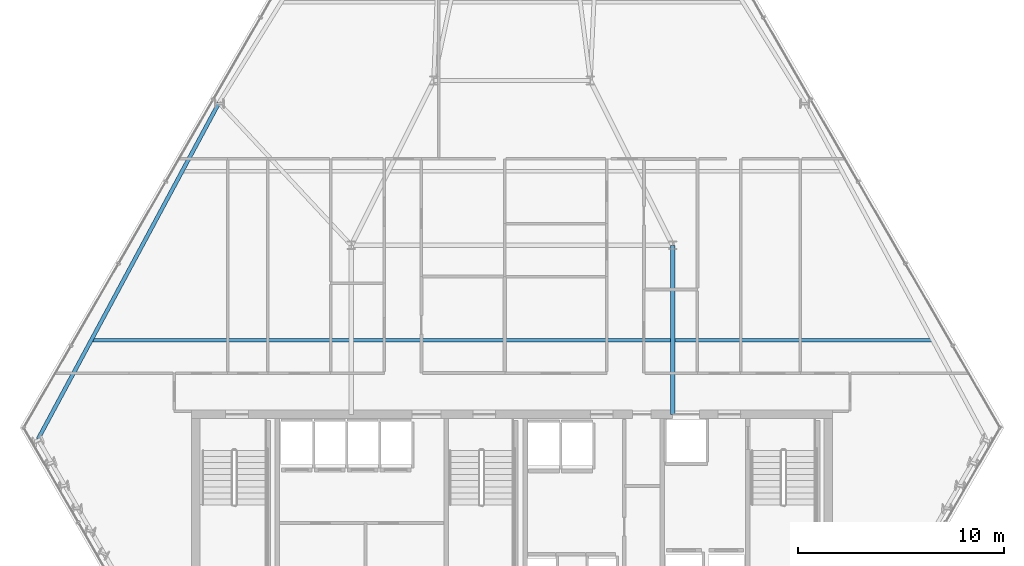
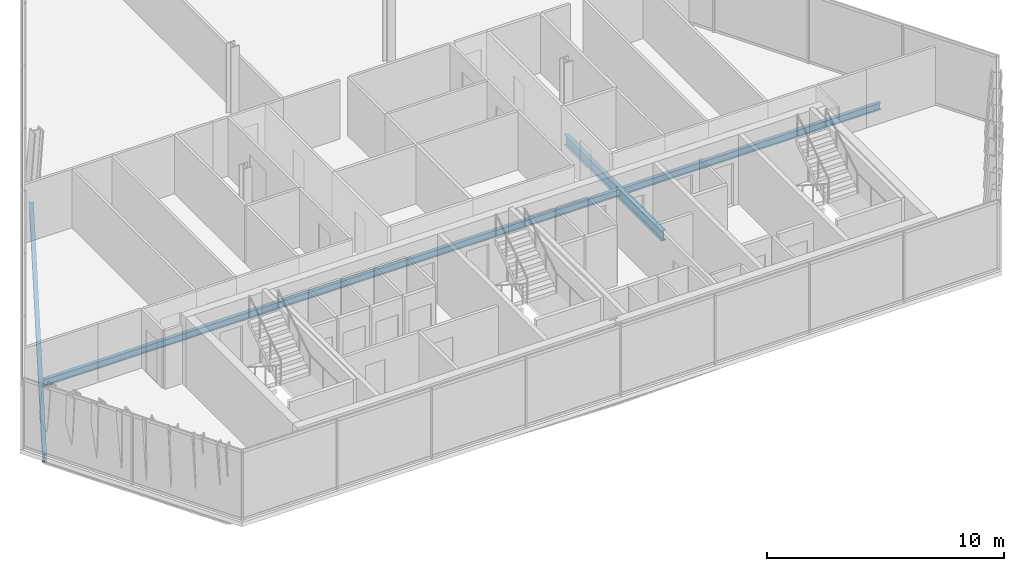
# One storey, part 10 of 33: 3 beams.
"""IFC4 building model written with IfcOpenShell, lengths in metres."""

from ifc_helpers import new_model, si_unit, direction, frame, origin, origin_2d, place, context, subcontext, project, spatial, i_section, extrude, material, material_profile, profile_set, type_object, element, save


model = new_model("IFC4")

# Units and contexts
model_context = context("Model", 3, precision=1e-05, world=origin(), true_north=direction((0.0, 1.0)))
body_context = subcontext(model_context, "Body", "Model", "MODEL_VIEW")
ifc_project = project(units=[si_unit("LENGTHUNIT", "METRE"), si_unit("AREAUNIT", "SQUARE_METRE"), si_unit("VOLUMEUNIT", "CUBIC_METRE"), si_unit("PLANEANGLEUNIT", "RADIAN"), si_unit("MASSUNIT", "GRAM", prefix="KILO")], contexts=[model_context])

# Site, building, storey
site_placement = place(None, origin())
site = spatial("IfcSite", under=ifc_project, at=site_placement, CompositionType="ELEMENT")
building_placement = place(site_placement, origin())
building = spatial("IfcBuilding", under=site, at=building_placement, Name="Ndaravel Arena Tower", CompositionType="ELEMENT")
storey_placement = place(building_placement, frame((0.0, 0.0, 168.800048828125)))
storey = spatial("IfcBuildingStorey", under=building, at=storey_placement, Name="L40", CompositionType="ELEMENT", Elevation=168.800048828125)

# Beams
ifc_material_1 = material(Name="Steel S355", Category="steel")
ifc_material_profile_1 = material_profile(ifc_material_1, i_section(OverallWidth=0.210693359375, OverallDepth=0.53955078125, WebThickness=0.01171875, FlangeThickness=0.018798828125, FilletRadius=0.0126953125, at=origin_2d()), Name="UB 533x210x109")
ifc_profile_set_1 = profile_set([ifc_material_profile_1], Name="Steel S355")
beam_type_1 = type_object("IfcBeamType", Name="BM-GIRD-UB533", PredefinedType="BEAM", material=ifc_profile_set_1)
beam_1_placement = place(storey_placement, frame((49.800048828125, 14.97998046875, -0.48974609375), z_axis=(0.0, 1.0, 0.0), x_axis=(-1.0, 0.0, 0.0)))
element("IfcBeam", 1, at=beam_1_placement, inside=storey, type_object=beam_type_1, Name="L40 Spine Link Girder SLG-02", PredefinedType="BEAM", context=body_context, shape_type="SweptSolid", body=[
    extrude(i_section(OverallWidth=0.210693359375, OverallDepth=0.53955078125, WebThickness=0.01171875, FlangeThickness=0.018798828125, FilletRadius=0.0126953125, at=origin_2d()), origin(), (0.0, 0.0, 1.0), 8.219970703125),
])
ifc_material_2 = material(Name="Steel S355", Category="steel")
ifc_material_profile_2 = material_profile(ifc_material_2, i_section(OverallWidth=0.172119140625, OverallDepth=0.35791015625, WebThickness=0.008056640625, FlangeThickness=0.012939453125, FilletRadius=0.01025390625, at=origin_2d()), Name="UB 356x171x57")
ifc_profile_set_2 = profile_set([ifc_material_profile_2], Name="Steel S355")
beam_type_2 = type_object("IfcBeamType", Name="BM-JOIST-UB356", PredefinedType="JOIST", material=ifc_profile_set_2)
beam_2_placement = place(storey_placement, frame((21.580322265625, 18.60009765625, -0.399169921875), z_axis=(1.0, 0.0, 0.0), x_axis=(0.0, 1.0, 0.0)))
element("IfcBeam", 2, at=beam_2_placement, inside=storey, type_object=beam_type_2, Name="L40 Composite Floor Joist FJ-01", PredefinedType="JOIST", context=body_context, shape_type="SweptSolid", body=[
    extrude(i_section(OverallWidth=0.172119140625, OverallDepth=0.35791015625, WebThickness=0.008056640625, FlangeThickness=0.012939453125, FilletRadius=0.01025390625, at=origin_2d()), origin(), (0.0, 0.0, 1.0), 40.83935546875),
])
ifc_material_3 = material(Name="Steel S355", Category="steel")
ifc_material_profile_3 = material_profile(ifc_material_3, i_section(OverallWidth=0.18994140625, OverallDepth=0.449951171875, WebThickness=0.009521484375, FlangeThickness=0.0146484375, FilletRadius=0.02099609375, at=origin_2d()), Name="IPE 450")
ifc_profile_set_3 = profile_set([ifc_material_profile_3], Name="Steel S355")
beam_type_3 = type_object("IfcBeamType", Name="BM-SPAN-IPE450", PredefinedType="SPANDREL", material=ifc_profile_set_3)
beam_3_placement = place(storey_placement, frame((27.77685546875, 30.114990234375, -0.445068359375), z_axis=(-0.473873575868, -0.880592887829, 0.0), x_axis=(0.880592887829, -0.473873575868, 0.0)))
element("IfcBeam", 3, at=beam_3_placement, inside=storey, type_object=beam_type_3, Name="L40 Perimeter Spandrel Beam SP-19", PredefinedType="SPANDREL", context=body_context, shape_type="SweptSolid", body=[
    extrude(i_section(OverallWidth=0.18994140625, OverallDepth=0.449951171875, WebThickness=0.009521484375, FlangeThickness=0.0146484375, FilletRadius=0.02099609375, at=origin_2d()), origin(), (0.0, 0.0, 1.0), 18.533935546875),
])

save(model, "model.ifc")
